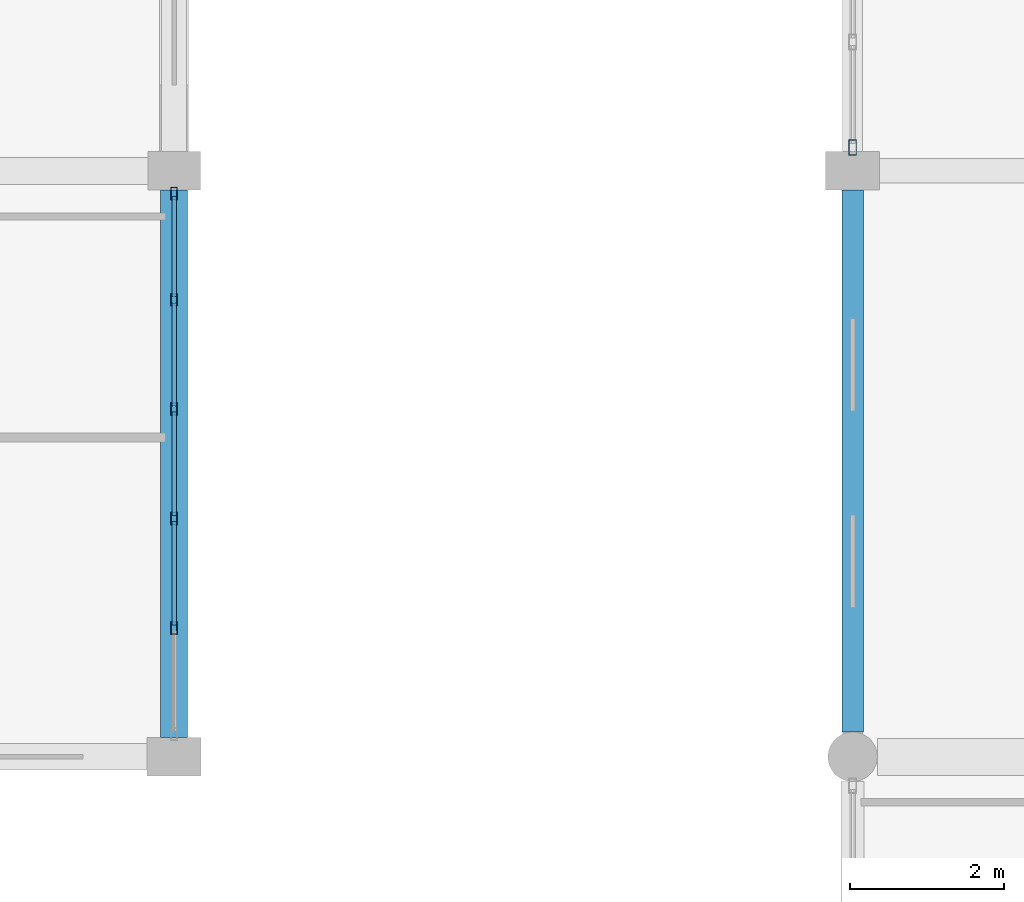
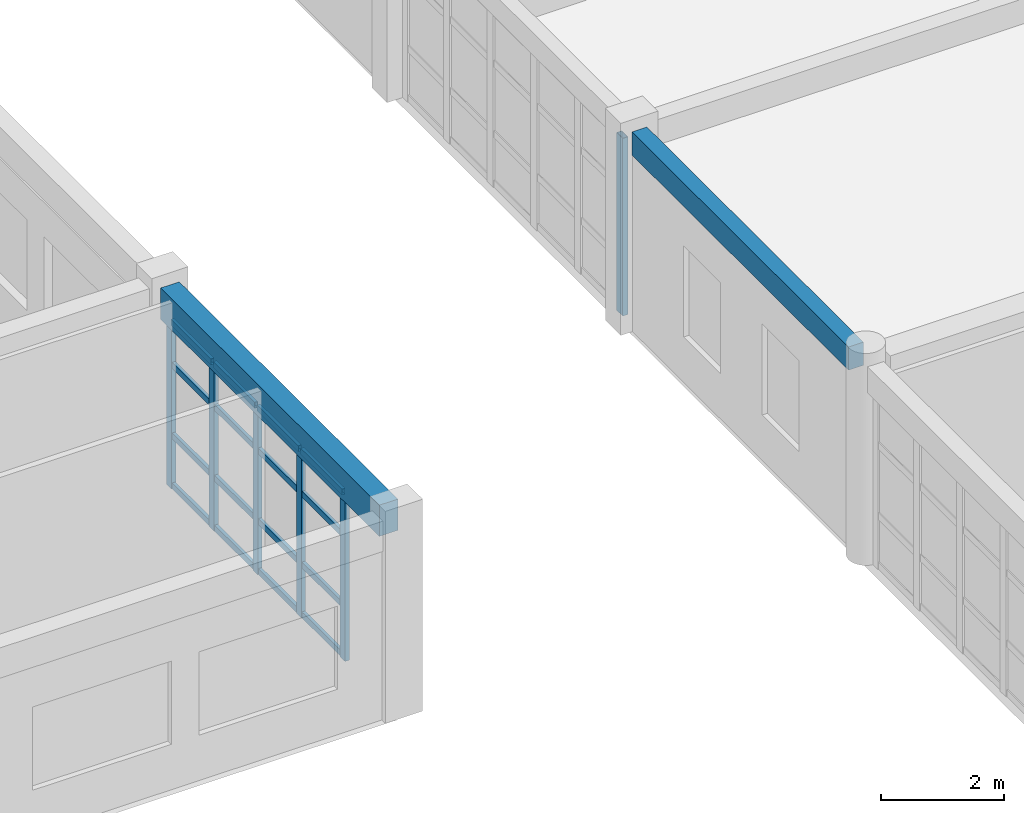
# One storey, part 41 of 121: 22 members, 2 beams, 2 elements without a shape of their own.
"""IFC4 building model written with IfcOpenShell, lengths in metres."""

from ifc_helpers import new_model, si_unit, direction, frame, origin, origin_2d, place, context, subcontext, project, spatial, rectangle, hollow_rectangle, extrude, material, material_profile, profile_set, type_object, element, aggregate, save


model = new_model("IFC4")

# Units and contexts
model_context = context("Model", 3, precision=1e-05, world=origin(), true_north=direction((0.0, 1.0)))
body_context = subcontext(model_context, "Body", "Model", "MODEL_VIEW")
ifc_project = project(units=[si_unit("LENGTHUNIT", "METRE"), si_unit("AREAUNIT", "SQUARE_METRE"), si_unit("VOLUMEUNIT", "CUBIC_METRE"), si_unit("PLANEANGLEUNIT", "RADIAN"), si_unit("MASSUNIT", "GRAM", prefix="KILO")], contexts=[model_context])

# Site, building, storey
site_placement = place(None, origin())
site = spatial("IfcSite", under=ifc_project, at=site_placement, CompositionType="ELEMENT")
building_placement = place(site_placement, origin())
building = spatial("IfcBuilding", under=site, at=building_placement, Name="Kharva Crest Polytechnic", CompositionType="ELEMENT")
storey_placement = place(building_placement, frame((0.0, 0.0, 13.199951171875)))
storey = spatial("IfcBuildingStorey", under=building, at=storey_placement, Name="L03", CompositionType="ELEMENT", Elevation=13.199951171875)

# Curtain wall, members
ifc_material_1 = material(Name="Tempered insulated glass", Category="glass")
curtain_wall_type_1 = type_object("IfcCurtainWallType", Name="CW-SYS-COURT", PredefinedType="USERDEFINED", material=ifc_material_1)
curtain_wall_1_placement = place(storey_placement, origin())
curtain_wall_1 = element("IfcCurtainWall", 1, at=curtain_wall_1_placement, inside=storey, type_object=curtain_wall_type_1, Name="L03 Glazed Curtain Wall CW-135", ObjectType="CURTAIN WALL", PredefinedType="USERDEFINED")
ifc_material_2 = material(Name="Steel S355", Category="steel")
ifc_material_profile_1 = material_profile(ifc_material_2, hollow_rectangle(XDim=0.080078125, YDim=0.159912109375, WallThickness=0.0048828125, at=origin_2d()), Name="RHS 160X80X5.0")
ifc_profile_set_1 = profile_set([ifc_material_profile_1], Name="Steel S355")
member_type_1 = type_object("IfcMemberType", Name="CWM-RHS160X80", PredefinedType="MULLION", material=ifc_profile_set_1)
member_1_placement = place(storey_placement, frame((112.0, 9.27294921875, 0.0), z_axis=(0.0, 0.0, 1.0), x_axis=(-1.0, 0.0, 0.0)))
member_1 = element("IfcMember", 2, at=member_1_placement, type_object=member_type_1, Name="CW-135 mullion 2", PredefinedType="MULLION", context=body_context, shape_type="SweptSolid", body=[
    extrude(hollow_rectangle(XDim=0.080078125, YDim=0.159912109375, WallThickness=0.0048828125, at=origin_2d()), origin(), (0.0, 0.0, 1.0), 3.340087890625),
])
member_2_placement = place(storey_placement, frame((112.0, 10.69091796875, 0.0), z_axis=(0.0, 0.0, 1.0), x_axis=(-1.0, 0.0, 0.0)))
member_2 = element("IfcMember", 3, at=member_2_placement, type_object=member_type_1, Name="CW-135 mullion 3", PredefinedType="MULLION", context=body_context, shape_type="SweptSolid", body=[
    extrude(hollow_rectangle(XDim=0.080078125, YDim=0.159912109375, WallThickness=0.0048828125, at=origin_2d()), origin(), (0.0, 0.0, 1.0), 3.340087890625),
])
member_3_placement = place(storey_placement, frame((112.0, 12.10888671875, 0.0), z_axis=(0.0, 0.0, 1.0), x_axis=(-1.0, 0.0, 0.0)))
member_3 = element("IfcMember", 4, at=member_3_placement, type_object=member_type_1, Name="CW-135 mullion 4", PredefinedType="MULLION", context=body_context, shape_type="SweptSolid", body=[
    extrude(hollow_rectangle(XDim=0.080078125, YDim=0.159912109375, WallThickness=0.0048828125, at=origin_2d()), origin(), (0.0, 0.0, 1.0), 3.340087890625),
])
member_4_placement = place(storey_placement, frame((112.0, 13.527099609375, 0.0), z_axis=(0.0, 0.0, 1.0), x_axis=(-1.0, 0.0, 0.0)))
member_4 = element("IfcMember", 5, at=member_4_placement, type_object=member_type_1, Name="CW-135 mullion 5", PredefinedType="MULLION", context=body_context, shape_type="SweptSolid", body=[
    extrude(hollow_rectangle(XDim=0.080078125, YDim=0.159912109375, WallThickness=0.0048828125, at=origin_2d()), origin(), (0.0, 0.0, 1.0), 3.340087890625),
])
member_5_placement = place(storey_placement, frame((112.0, 14.905029296875, 0.0), z_axis=(0.0, 0.0, 1.0), x_axis=(-1.0, 0.0, 0.0)))
member_5 = element("IfcMember", 6, at=member_5_placement, type_object=member_type_1, Name="CW-135 mullion 6", PredefinedType="MULLION", context=body_context, shape_type="SweptSolid", body=[
    extrude(hollow_rectangle(XDim=0.080078125, YDim=0.159912109375, WallThickness=0.0048828125, at=origin_2d()), origin(), (0.0, 0.0, 1.0), 3.340087890625),
])

# Curtain wall, member
curtain_wall_type_2 = type_object("IfcCurtainWallType", Name="CW-SYS-REFECTORY", PredefinedType="USERDEFINED", material=ifc_material_1)
curtain_wall_2_placement = place(storey_placement, origin())
curtain_wall_2 = element("IfcCurtainWall", 7, at=curtain_wall_2_placement, inside=storey, type_object=curtain_wall_type_2, Name="L03 Glazed Curtain Wall CW-139", ObjectType="CURTAIN WALL", PredefinedType="USERDEFINED")
ifc_material_profile_2 = material_profile(ifc_material_2, hollow_rectangle(XDim=0.10009765625, YDim=0.199951171875, WallThickness=0.00634765625, at=origin_2d()), Name="RHS 200X100X6.3")
ifc_profile_set_2 = profile_set([ifc_material_profile_2], Name="Steel S355")
member_type_2 = type_object("IfcMemberType", Name="CWM-RHS200X100", PredefinedType="MULLION", material=ifc_profile_set_2)
member_6_placement = place(storey_placement, frame((120.800048828125, 15.5048828125, 0.0), z_axis=(0.0, 0.0, 1.0), x_axis=(1.0, 0.0, 0.0)))
member_6 = element("IfcMember", 8, at=member_6_placement, type_object=member_type_2, Name="CW-139 mullion 6", PredefinedType="MULLION", context=body_context, shape_type="SweptSolid", body=[
    extrude(hollow_rectangle(XDim=0.10009765625, YDim=0.199951171875, WallThickness=0.00634765625, at=origin_2d()), origin(), (0.0, 0.0, 1.0), 3.52001953125),
])
aggregate(curtain_wall_2, [member_6])

# Member
ifc_material_profile_3 = material_profile(ifc_material_2, hollow_rectangle(XDim=0.06005859375, YDim=0.1201171875, WallThickness=0.00390625, at=origin_2d()), Name="RHS 120X60X4.0")
ifc_profile_set_3 = profile_set([ifc_material_profile_3], Name="Steel S355")
member_type_3 = type_object("IfcMemberType", Name="CWT-RHS120X60", PredefinedType="USERDEFINED", material=ifc_profile_set_3)
member_7_placement = place(storey_placement, frame((112.0, 9.31298828125, 0.06005859375), z_axis=(0.0, 1.0, 0.0), x_axis=(-1.0, 0.0, 0.0)))
member_7 = element("IfcMember", 9, at=member_7_placement, type_object=member_type_3, Name="CW-135 transom 2.1", ObjectType="TRANSOM", PredefinedType="USERDEFINED", context=body_context, shape_type="SweptSolid", body=[
    extrude(hollow_rectangle(XDim=0.06005859375, YDim=0.1201171875, WallThickness=0.00390625, at=origin_2d()), origin(), (0.0, 0.0, 1.0), 1.337890625),
])

member_8_placement = place(storey_placement, frame((112.0, 9.31298828125, 1.050048828125), z_axis=(0.0, 1.0, 0.0), x_axis=(-1.0, 0.0, 0.0)))
member_8 = element("IfcMember", 10, at=member_8_placement, type_object=member_type_3, Name="CW-135 transom 2.2", ObjectType="TRANSOM", PredefinedType="USERDEFINED", context=body_context, shape_type="SweptSolid", body=[
    extrude(hollow_rectangle(XDim=0.06005859375, YDim=0.1201171875, WallThickness=0.00390625, at=origin_2d()), origin(), (0.0, 0.0, 1.0), 1.337890625),
])

member_9_placement = place(storey_placement, frame((112.0, 9.31298828125, 2.449951171875), z_axis=(0.0, 1.0, 0.0), x_axis=(-1.0, 0.0, 0.0)))
member_9 = element("IfcMember", 11, at=member_9_placement, type_object=member_type_3, Name="CW-135 transom 2.3", ObjectType="TRANSOM", PredefinedType="USERDEFINED", context=body_context, shape_type="SweptSolid", body=[
    extrude(hollow_rectangle(XDim=0.06005859375, YDim=0.1201171875, WallThickness=0.00390625, at=origin_2d()), origin(), (0.0, 0.0, 1.0), 1.337890625),
])

member_10_placement = place(storey_placement, frame((112.0, 9.31298828125, 3.280029296875), z_axis=(0.0, 1.0, 0.0), x_axis=(-1.0, 0.0, 0.0)))
member_10 = element("IfcMember", 12, at=member_10_placement, type_object=member_type_3, Name="CW-135 transom 2.4", ObjectType="TRANSOM", PredefinedType="USERDEFINED", context=body_context, shape_type="SweptSolid", body=[
    extrude(hollow_rectangle(XDim=0.06005859375, YDim=0.1201171875, WallThickness=0.00390625, at=origin_2d()), origin(), (0.0, 0.0, 1.0), 1.337890625),
])

member_11_placement = place(storey_placement, frame((112.0, 10.73095703125, 0.06005859375), z_axis=(0.0, 1.0, 0.0), x_axis=(-1.0, 0.0, 0.0)))
member_11 = element("IfcMember", 13, at=member_11_placement, type_object=member_type_3, Name="CW-135 transom 3.1", ObjectType="TRANSOM", PredefinedType="USERDEFINED", context=body_context, shape_type="SweptSolid", body=[
    extrude(hollow_rectangle(XDim=0.06005859375, YDim=0.1201171875, WallThickness=0.00390625, at=origin_2d()), origin(), (0.0, 0.0, 1.0), 1.338134765625),
])

member_12_placement = place(storey_placement, frame((112.0, 10.73095703125, 1.050048828125), z_axis=(0.0, 1.0, 0.0), x_axis=(-1.0, 0.0, 0.0)))
member_12 = element("IfcMember", 14, at=member_12_placement, type_object=member_type_3, Name="CW-135 transom 3.2", ObjectType="TRANSOM", PredefinedType="USERDEFINED", context=body_context, shape_type="SweptSolid", body=[
    extrude(hollow_rectangle(XDim=0.06005859375, YDim=0.1201171875, WallThickness=0.00390625, at=origin_2d()), origin(), (0.0, 0.0, 1.0), 1.338134765625),
])

member_13_placement = place(storey_placement, frame((112.0, 10.73095703125, 2.449951171875), z_axis=(0.0, 1.0, 0.0), x_axis=(-1.0, 0.0, 0.0)))
member_13 = element("IfcMember", 15, at=member_13_placement, type_object=member_type_3, Name="CW-135 transom 3.3", ObjectType="TRANSOM", PredefinedType="USERDEFINED", context=body_context, shape_type="SweptSolid", body=[
    extrude(hollow_rectangle(XDim=0.06005859375, YDim=0.1201171875, WallThickness=0.00390625, at=origin_2d()), origin(), (0.0, 0.0, 1.0), 1.338134765625),
])

member_14_placement = place(storey_placement, frame((112.0, 10.73095703125, 3.280029296875), z_axis=(0.0, 1.0, 0.0), x_axis=(-1.0, 0.0, 0.0)))
member_14 = element("IfcMember", 16, at=member_14_placement, type_object=member_type_3, Name="CW-135 transom 3.4", ObjectType="TRANSOM", PredefinedType="USERDEFINED", context=body_context, shape_type="SweptSolid", body=[
    extrude(hollow_rectangle(XDim=0.06005859375, YDim=0.1201171875, WallThickness=0.00390625, at=origin_2d()), origin(), (0.0, 0.0, 1.0), 1.338134765625),
])

member_15_placement = place(storey_placement, frame((112.0, 12.14892578125, 0.06005859375), z_axis=(0.0, 1.0, 0.0), x_axis=(-1.0, 0.0, 0.0)))
member_15 = element("IfcMember", 17, at=member_15_placement, type_object=member_type_3, Name="CW-135 transom 4.1", ObjectType="TRANSOM", PredefinedType="USERDEFINED", context=body_context, shape_type="SweptSolid", body=[
    extrude(hollow_rectangle(XDim=0.06005859375, YDim=0.1201171875, WallThickness=0.00390625, at=origin_2d()), origin(), (0.0, 0.0, 1.0), 1.338134765625),
])

member_16_placement = place(storey_placement, frame((112.0, 12.14892578125, 1.050048828125), z_axis=(0.0, 1.0, 0.0), x_axis=(-1.0, 0.0, 0.0)))
member_16 = element("IfcMember", 18, at=member_16_placement, type_object=member_type_3, Name="CW-135 transom 4.2", ObjectType="TRANSOM", PredefinedType="USERDEFINED", context=body_context, shape_type="SweptSolid", body=[
    extrude(hollow_rectangle(XDim=0.06005859375, YDim=0.1201171875, WallThickness=0.00390625, at=origin_2d()), origin(), (0.0, 0.0, 1.0), 1.338134765625),
])

member_17_placement = place(storey_placement, frame((112.0, 12.14892578125, 2.449951171875), z_axis=(0.0, 1.0, 0.0), x_axis=(-1.0, 0.0, 0.0)))
member_17 = element("IfcMember", 19, at=member_17_placement, type_object=member_type_3, Name="CW-135 transom 4.3", ObjectType="TRANSOM", PredefinedType="USERDEFINED", context=body_context, shape_type="SweptSolid", body=[
    extrude(hollow_rectangle(XDim=0.06005859375, YDim=0.1201171875, WallThickness=0.00390625, at=origin_2d()), origin(), (0.0, 0.0, 1.0), 1.338134765625),
])

member_18_placement = place(storey_placement, frame((112.0, 12.14892578125, 3.280029296875), z_axis=(0.0, 1.0, 0.0), x_axis=(-1.0, 0.0, 0.0)))
member_18 = element("IfcMember", 20, at=member_18_placement, type_object=member_type_3, Name="CW-135 transom 4.4", ObjectType="TRANSOM", PredefinedType="USERDEFINED", context=body_context, shape_type="SweptSolid", body=[
    extrude(hollow_rectangle(XDim=0.06005859375, YDim=0.1201171875, WallThickness=0.00390625, at=origin_2d()), origin(), (0.0, 0.0, 1.0), 1.338134765625),
])

member_19_placement = place(storey_placement, frame((112.0, 13.56689453125, 0.06005859375), z_axis=(0.0, 1.0, 0.0), x_axis=(-1.0, 0.0, 0.0)))
member_19 = element("IfcMember", 21, at=member_19_placement, type_object=member_type_3, Name="CW-135 transom 5.1", ObjectType="TRANSOM", PredefinedType="USERDEFINED", context=body_context, shape_type="SweptSolid", body=[
    extrude(hollow_rectangle(XDim=0.06005859375, YDim=0.1201171875, WallThickness=0.00390625, at=origin_2d()), origin(), (0.0, 0.0, 1.0), 1.298095703125),
])

member_20_placement = place(storey_placement, frame((112.0, 13.56689453125, 1.050048828125), z_axis=(0.0, 1.0, 0.0), x_axis=(-1.0, 0.0, 0.0)))
member_20 = element("IfcMember", 22, at=member_20_placement, type_object=member_type_3, Name="CW-135 transom 5.2", ObjectType="TRANSOM", PredefinedType="USERDEFINED", context=body_context, shape_type="SweptSolid", body=[
    extrude(hollow_rectangle(XDim=0.06005859375, YDim=0.1201171875, WallThickness=0.00390625, at=origin_2d()), origin(), (0.0, 0.0, 1.0), 1.298095703125),
])

member_21_placement = place(storey_placement, frame((112.0, 13.56689453125, 2.449951171875), z_axis=(0.0, 1.0, 0.0), x_axis=(-1.0, 0.0, 0.0)))
member_21 = element("IfcMember", 23, at=member_21_placement, type_object=member_type_3, Name="CW-135 transom 5.3", ObjectType="TRANSOM", PredefinedType="USERDEFINED", context=body_context, shape_type="SweptSolid", body=[
    extrude(hollow_rectangle(XDim=0.06005859375, YDim=0.1201171875, WallThickness=0.00390625, at=origin_2d()), origin(), (0.0, 0.0, 1.0), 1.298095703125),
])

member_22_placement = place(storey_placement, frame((112.0, 13.56689453125, 3.280029296875), z_axis=(0.0, 1.0, 0.0), x_axis=(-1.0, 0.0, 0.0)))
member_22 = element("IfcMember", 24, at=member_22_placement, type_object=member_type_3, Name="CW-135 transom 5.4", ObjectType="TRANSOM", PredefinedType="USERDEFINED", context=body_context, shape_type="SweptSolid", body=[
    extrude(hollow_rectangle(XDim=0.06005859375, YDim=0.1201171875, WallThickness=0.00390625, at=origin_2d()), origin(), (0.0, 0.0, 1.0), 1.298095703125),
])

aggregate(curtain_wall_1, [member_1, member_2, member_3, member_4, member_5, member_7, member_8, member_9, member_10, member_11, member_12, member_13, member_14, member_15, member_16, member_17, member_18, member_19, member_20, member_21, member_22])

# Beams
ifc_material_3 = material(Name="Concrete C35/45", Category="concrete")
ifc_material_profile_4 = material_profile(ifc_material_3, rectangle(XDim=0.280029296875, YDim=0.4599609375, at=origin_2d()), Name="RECT 280 X 460")
ifc_profile_set_4 = profile_set([ifc_material_profile_4], Name="Concrete C35/45")
beam_type_1 = type_object("IfcBeamType", Name="SP-RC-280X460", PredefinedType="SPANDREL", material=ifc_profile_set_4)
beam_1_placement = place(storey_placement, frame((120.800048828125, 7.919921875, 3.72998046875), z_axis=(0.0, 1.0, 0.0), x_axis=(-1.0, 0.0, 0.0)))
element("IfcBeam", 25, at=beam_1_placement, inside=storey, type_object=beam_type_1, Name="L03 Girder 16J/B-C", PredefinedType="SPANDREL", context=body_context, shape_type="SweptSolid", body=[
    extrude(rectangle(XDim=0.280029296875, YDim=0.4599609375, at=origin_2d()), origin(), (0.0, 0.0, 1.0), 7.030029296875),
])
ifc_material_profile_5 = material_profile(ifc_material_3, rectangle(XDim=0.35009765625, YDim=0.6201171875, at=origin_2d()), Name="RECT 350 X 620")
ifc_profile_set_5 = profile_set([ifc_material_profile_5], Name="Concrete C35/45")
beam_type_2 = type_object("IfcBeamType", Name="SP-RC-350X620", PredefinedType="SPANDREL", material=ifc_profile_set_5)
beam_2_placement = place(storey_placement, frame((112.0, 7.85009765625, 3.650146484375), z_axis=(0.0, 1.0, 0.0), x_axis=(-1.0, 0.0, 0.0)))
element("IfcBeam", 26, at=beam_2_placement, inside=storey, type_object=beam_type_2, Name="L03 Girder 15/B-C", PredefinedType="SPANDREL", context=body_context, shape_type="SweptSolid", body=[
    extrude(rectangle(XDim=0.35009765625, YDim=0.6201171875, at=origin_2d()), origin(), (0.0, 0.0, 1.0), 7.099853515625),
])

save(model, "model.ifc")
